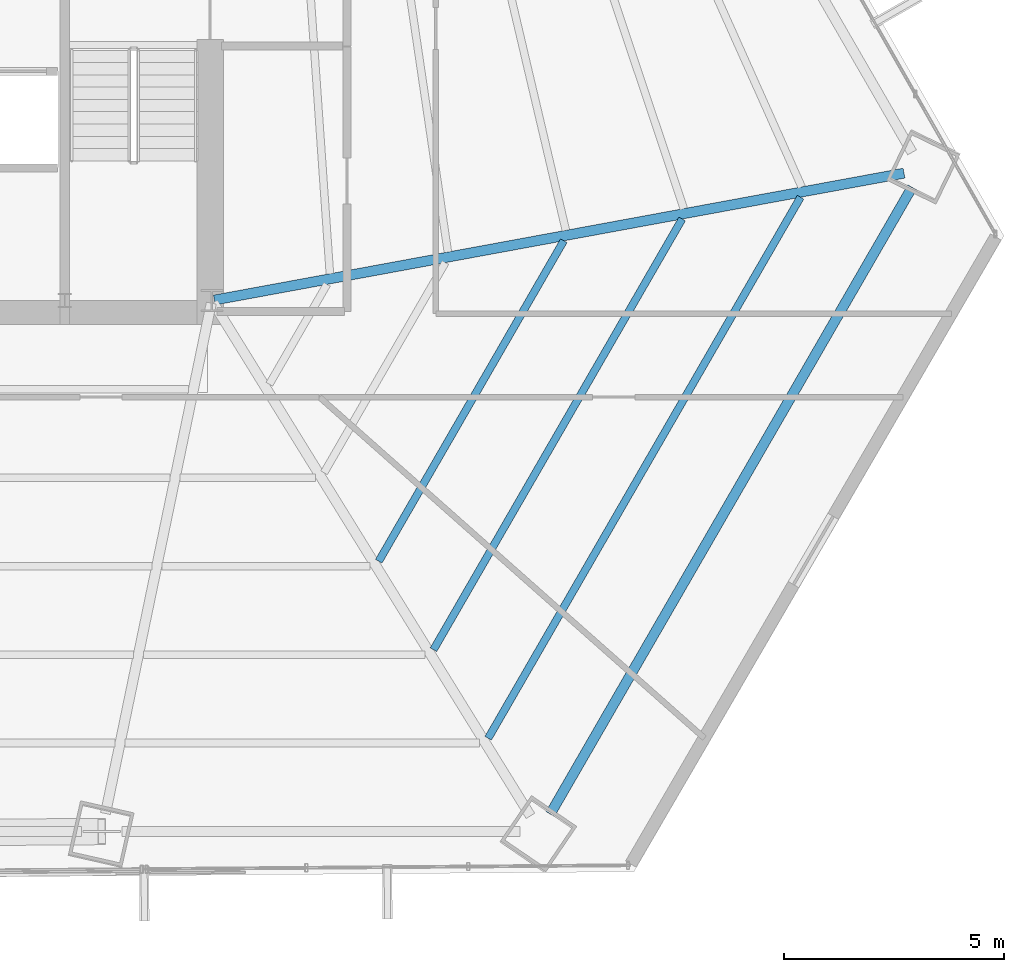
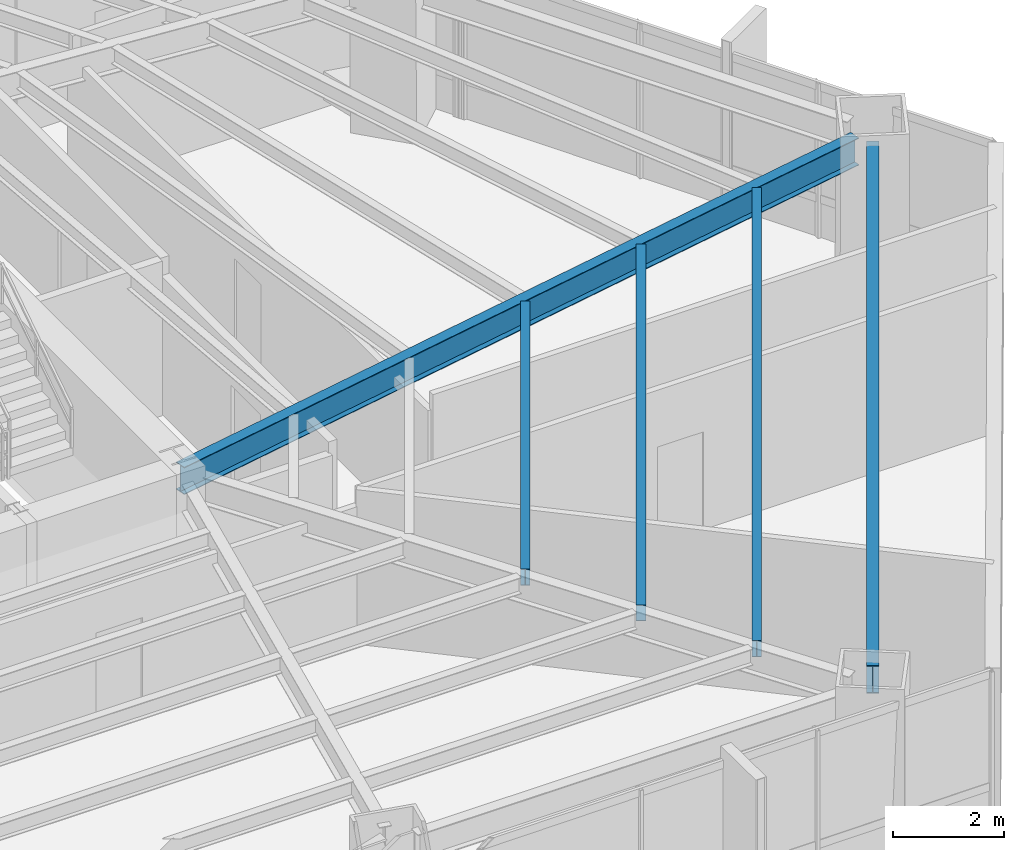
# One storey, part 18 of 34: 5 beams.
"""IFC4 building model written with IfcOpenShell, lengths in metres."""

from ifc_helpers import new_model, si_unit, direction, frame, origin, origin_2d, place, context, subcontext, project, spatial, i_section, extrude, source, transform, mapped, material, material_profile, profile_set, type_object, type_shapes, element, save


model = new_model("IFC4")

# Units and contexts
model_context = context("Model", 3, precision=1e-05, world=origin(), true_north=direction((0.0, 1.0)))
body_context = subcontext(model_context, "Body", "Model", "MODEL_VIEW")
ifc_project = project(units=[si_unit("LENGTHUNIT", "METRE"), si_unit("AREAUNIT", "SQUARE_METRE"), si_unit("VOLUMEUNIT", "CUBIC_METRE"), si_unit("PLANEANGLEUNIT", "RADIAN"), si_unit("MASSUNIT", "GRAM", prefix="KILO")], contexts=[model_context])

# Site, building, storey
site_placement = place(None, origin())
site = spatial("IfcSite", under=ifc_project, at=site_placement, CompositionType="ELEMENT")
building_placement = place(site_placement, origin())
building = spatial("IfcBuilding", under=site, at=building_placement, Name="Caelisora Broadcast Tower", CompositionType="ELEMENT")
storey_placement = place(building_placement, frame((0.0, 0.0, 49.5)))
storey = spatial("IfcBuildingStorey", under=building, at=storey_placement, Name="L12", CompositionType="ELEMENT", Elevation=49.5)

# Beams
ifc_material = material(Name="Steel Grade 350 (AS/NZS 3679.1)", Category="steel")
ifc_material_profile_1 = material_profile(ifc_material, i_section(OverallWidth=0.22900390625, OverallDepth=0.611572265625, WebThickness=0.011962890625, FlangeThickness=0.01953125, at=origin_2d()), Name="Steel Grade 350 (AS/NZS 3679.1)")
ifc_profile_set_1 = profile_set([ifc_material_profile_1], Name="Steel Grade 350 (AS/NZS 3679.1)")
beam_type_1 = type_object("IfcBeamType", Name="PG03", PredefinedType="BEAM", material=ifc_profile_set_1)
shared_shape_1 = source(origin(), body_context, "Body", "SweptSolid", [
    extrude(i_section(OverallWidth=0.22900390625, OverallDepth=0.611572265625, WebThickness=0.011962890625, FlangeThickness=0.01953125, at=origin_2d()), origin(), (0.0, 0.0, 1.0), 16.482177734375),
])
type_shapes(beam_type_1, [shared_shape_1])
beam_1_placement = place(storey_placement, frame((53.20654296875, 5.70458984375, 3.09423828125), z_axis=(0.499995991305, 0.866027718193, 0.0), x_axis=(-0.866027718193, 0.499995991305, 0.0)))
element("IfcBeam", 1, at=beam_1_placement, inside=storey, type_object=beam_type_1, Name="L12 beam PG03", PredefinedType="BEAM", context=body_context, shape_type="MappedRepresentation", body=[
    mapped(shared_shape_1, transform((0.0, 0.0, 0.0), scale=1.0)),
])
ifc_material_profile_2 = material_profile(ifc_material, i_section(OverallWidth=0.22802734375, OverallDepth=0.602294921875, WebThickness=0.010498046875, FlangeThickness=0.014892578125, at=origin_2d()), Name="Steel Grade 350 (AS/NZS 3679.1)")
ifc_profile_set_2 = profile_set([ifc_material_profile_2], Name="Steel Grade 350 (AS/NZS 3679.1)")
beam_type_2 = type_object("IfcBeamType", Name="PG04", PredefinedType="BEAM", material=ifc_profile_set_2)
shared_shape_2 = source(origin(), body_context, "Body", "SweptSolid", [
    extrude(i_section(OverallWidth=0.22802734375, OverallDepth=0.602294921875, WebThickness=0.010498046875, FlangeThickness=0.014892578125, at=origin_2d()), origin(), (0.0, 0.0, 1.0), 15.968994140625),
])
type_shapes(beam_type_2, [shared_shape_2])
beam_2_placement = place(storey_placement, frame((45.55908203125, 17.410888671875, 3.098876953125), z_axis=(0.983486073616, 0.180983819731, 0.0), x_axis=(-0.180983819731, 0.983486073616, 0.0)))
element("IfcBeam", 2, at=beam_2_placement, inside=storey, type_object=beam_type_2, Name="L12 beam PG04", PredefinedType="BEAM", context=body_context, shape_type="MappedRepresentation", body=[
    mapped(shared_shape_2, transform((0.0, 0.0, 0.0), scale=1.0)),
])
ifc_material_profile_3 = material_profile(ifc_material, i_section(OverallWidth=0.172119140625, OverallDepth=0.358642578125, WebThickness=0.008056640625, FlangeThickness=0.012939453125, at=origin_2d()), Name="Steel Grade 350 (AS/NZS 3679.1)")
ifc_profile_set_3 = profile_set([ifc_material_profile_3], Name="Steel Grade 350 (AS/NZS 3679.1)")
beam_type_3 = type_object("IfcBeamType", Name="SB02", PredefinedType="JOIST", material=ifc_profile_set_3)
shared_shape_3 = source(origin(), body_context, "Body", "SweptSolid", [
    extrude(i_section(OverallWidth=0.172119140625, OverallDepth=0.358642578125, WebThickness=0.008056640625, FlangeThickness=0.012939453125, at=origin_2d()), origin(), (0.0, 0.0, 1.0), 8.42822265625),
])
beam_3_placement = place(storey_placement, frame((49.301513671875, 11.46240234375, 3.220703125), z_axis=(0.499977383574, 0.866038460991, 0.0), x_axis=(-0.866038460991, 0.499977383574, 0.0)))
element("IfcBeam", 3, at=beam_3_placement, inside=storey, type_object=beam_type_3, Name="L12 beam SB02", PredefinedType="JOIST", context=body_context, shape_type="MappedRepresentation", body=[
    mapped(shared_shape_3, transform((0.0, 0.0, 0.0), scale=1.0)),
])
shared_shape_4 = source(origin(), body_context, "Body", "SweptSolid", [
    extrude(i_section(OverallWidth=0.172119140625, OverallDepth=0.358642578125, WebThickness=0.008056640625, FlangeThickness=0.012939453125, at=origin_2d()), origin(), (0.0, 0.0, 1.0), 11.328125),
])
beam_4_placement = place(storey_placement, frame((50.547607421875, 9.447021484375, 3.220703125), z_axis=(0.499996068715, 0.866027673501, 0.0), x_axis=(-0.866027673501, 0.499996068715, 0.0)))
element("IfcBeam", 4, at=beam_4_placement, inside=storey, type_object=beam_type_3, Name="L12 beam SB02", PredefinedType="JOIST", context=body_context, shape_type="MappedRepresentation", body=[
    mapped(shared_shape_4, transform((0.0, 0.0, 0.0), scale=1.0)),
])
shared_shape_5 = source(origin(), body_context, "Body", "SweptSolid", [
    extrude(i_section(OverallWidth=0.172119140625, OverallDepth=0.358642578125, WebThickness=0.008056640625, FlangeThickness=0.012939453125, at=origin_2d()), origin(), (0.0, 0.0, 1.0), 14.228759765625),
])
type_shapes(beam_type_3, [shared_shape_3, shared_shape_4, shared_shape_5])
beam_5_placement = place(storey_placement, frame((51.793701171875, 7.43115234375, 3.220703125), z_axis=(0.499992276994, 0.866029862618, 0.0), x_axis=(-0.866029862618, 0.499992276994, 0.0)))
element("IfcBeam", 5, at=beam_5_placement, inside=storey, type_object=beam_type_3, Name="L12 beam SB02", PredefinedType="JOIST", context=body_context, shape_type="MappedRepresentation", body=[
    mapped(shared_shape_5, transform((0.0, 0.0, 0.0), scale=1.0)),
])

save(model, "model.ifc")
